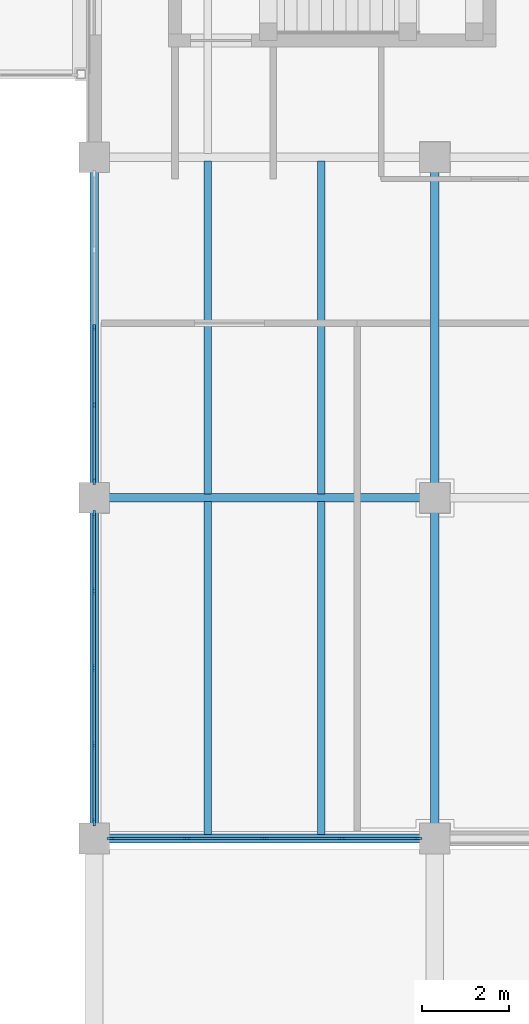
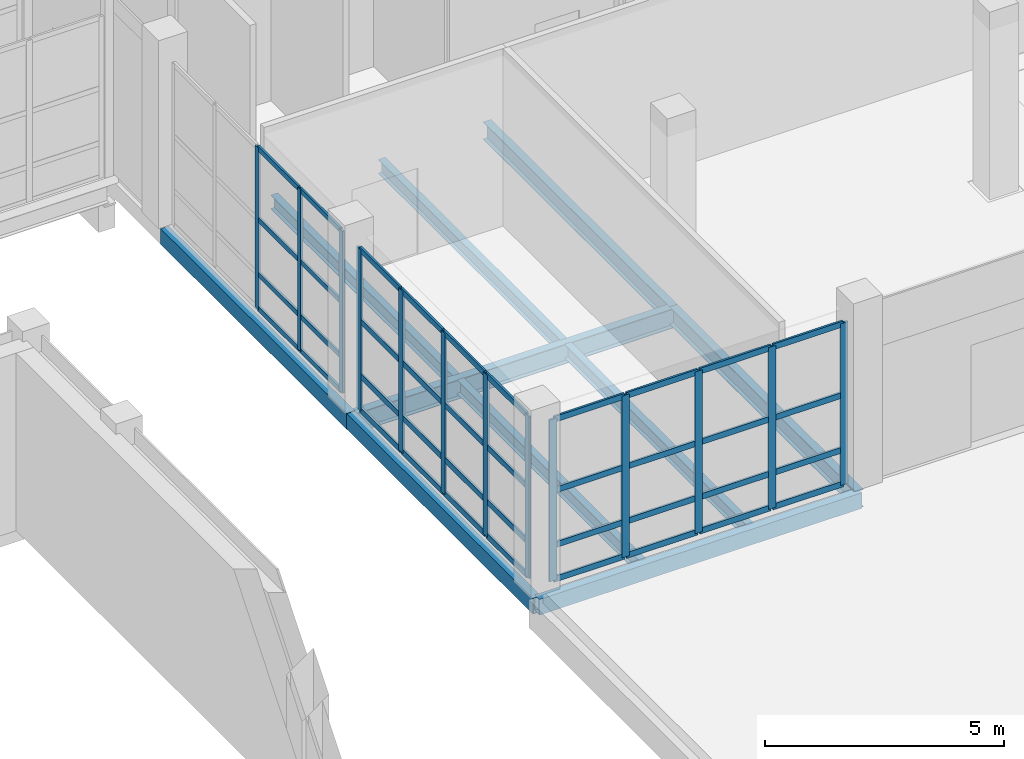
# One storey, part 27 of 131: 53 members, 10 beams, 3 elements without a shape of their own.
"""IFC4 building model written with IfcOpenShell, lengths in metres."""

from ifc_helpers import new_model, si_unit, direction, frame, origin, origin_2d, place, context, subcontext, project, spatial, rectangle, hollow_rectangle, i_section, extrude, material, layer, layer_set, material_profile, profile_set, type_object, element, aggregate, save


model = new_model("IFC4")

# Units and contexts
model_context = context("Model", 3, precision=1e-05, world=origin(), true_north=direction((0.0, 1.0)))
body_context = subcontext(model_context, "Body", "Model", "MODEL_VIEW")
ifc_project = project(units=[si_unit("LENGTHUNIT", "METRE"), si_unit("AREAUNIT", "SQUARE_METRE"), si_unit("VOLUMEUNIT", "CUBIC_METRE"), si_unit("PLANEANGLEUNIT", "RADIAN"), si_unit("MASSUNIT", "GRAM", prefix="KILO")], contexts=[model_context])

# Site, building, storey
site_placement = place(None, origin())
site = spatial("IfcSite", under=ifc_project, at=site_placement, CompositionType="ELEMENT")
building_placement = place(site_placement, origin())
building = spatial("IfcBuilding", under=site, at=building_placement, Name="Celorna Specialist Clinic", CompositionType="ELEMENT")
storey_placement = place(building_placement, origin())
storey = spatial("IfcBuildingStorey", under=building, at=storey_placement, Name="L00", CompositionType="ELEMENT", Elevation=0.0)

# Beams
ifc_material_1 = material(Name="Steel S355", Category="steel")
ifc_material_profile_1 = material_profile(ifc_material_1, i_section(OverallWidth=0.199951171875, OverallDepth=0.5, WebThickness=0.01025390625, FlangeThickness=0.01611328125, at=origin_2d()), Name="IPE 500")
ifc_profile_set_1 = profile_set([ifc_material_profile_1], Name="Steel S355")
beam_type_1 = type_object("IfcBeamType", Name="BM-08", PredefinedType="BEAM", material=ifc_profile_set_1)
beam_1_placement = place(storey_placement, frame((54.60009765625, 27.300048828125, -0.550048828125), z_axis=(1.0, 0.0, 0.0), x_axis=(0.0, 1.0, 0.0)))
element("IfcBeam", 1, at=beam_1_placement, inside=storey, type_object=beam_type_1, Name="Primary girder BM-08 #2018", PredefinedType="BEAM", context=body_context, shape_type="SweptSolid", body=[
    extrude(i_section(OverallWidth=0.199951171875, OverallDepth=0.5, WebThickness=0.01025390625, FlangeThickness=0.01611328125, at=origin_2d()), origin(), (0.0, 0.0, 1.0), 7.7998046875),
])
ifc_material_profile_2 = material_profile(ifc_material_1, i_section(OverallWidth=0.18994140625, OverallDepth=0.449951171875, WebThickness=0.009521484375, FlangeThickness=0.0146484375, at=origin_2d()), Name="IPE 450")
ifc_profile_set_2 = profile_set([ifc_material_profile_2], Name="Steel S355")
beam_type_2 = type_object("IfcBeamType", Name="BM-09", PredefinedType="BEAM", material=ifc_profile_set_2)
for number, where, z_axis, x_axis, name in (
    (2, (62.39990234375, 19.5, -0.52490234375), (0.0, 1.0, 0.0), (-1.0, 0.0, 0.0), "Transverse girder BM-09 #2033"),
    (3, (62.39990234375, 27.300048828125, -0.52490234375), (0.0, 1.0, 0.0), (-1.0, 0.0, 0.0), "Transverse girder BM-09 #2034"),
):
    element("IfcBeam", number, at=place(storey_placement, frame(where, z_axis=z_axis, x_axis=x_axis)), inside=storey, type_object=beam_type_2, Name=name, PredefinedType="BEAM", context=body_context, shape_type="SweptSolid", body=[
        extrude(i_section(OverallWidth=0.18994140625, OverallDepth=0.449951171875, WebThickness=0.009521484375, FlangeThickness=0.0146484375, at=origin_2d()), origin(), (0.0, 0.0, 1.0), 7.800048828125),
    ])
ifc_material_profile_3 = material_profile(ifc_material_1, i_section(OverallWidth=0.169921875, OverallDepth=0.360107421875, WebThickness=0.008056640625, FlangeThickness=0.0126953125, at=origin_2d()), Name="IPE 360")
ifc_profile_set_3 = profile_set([ifc_material_profile_3], Name="Steel S355")
beam_type_3 = type_object("IfcBeamType", Name="BM-11", PredefinedType="JOIST", material=ifc_profile_set_3)
for number, where, z_axis, x_axis, name in (
    (4, (57.199951171875, 19.587890625, -0.47998046875), (0.0, 1.0, 0.0), (-1.0, 0.0, 0.0), "Secondary floor joist BM-11 #2044"),
    (5, (59.800048828125, 19.587890625, -0.47998046875), (0.0, 1.0, 0.0), (-1.0, 0.0, 0.0), "Secondary floor joist BM-11 #2045"),
    (6, (57.199951171875, 27.387939453125, -0.47998046875), (0.0, 1.0, 0.0), (-1.0, 0.0, 0.0), "Secondary floor joist BM-11 #2046"),
    (7, (59.800048828125, 27.387939453125, -0.47998046875), (0.0, 1.0, 0.0), (-1.0, 0.0, 0.0), "Secondary floor joist BM-11 #2047"),
):
    element("IfcBeam", number, at=place(storey_placement, frame(where, z_axis=z_axis, x_axis=x_axis)), inside=storey, type_object=beam_type_3, Name=name, PredefinedType="JOIST", context=body_context, shape_type="SweptSolid", body=[
        extrude(i_section(OverallWidth=0.169921875, OverallDepth=0.360107421875, WebThickness=0.008056640625, FlangeThickness=0.0126953125, at=origin_2d()), origin(), (0.0, 0.0, 1.0), 7.6240234375),
    ])
ifc_material_profile_4 = material_profile(ifc_material_1, hollow_rectangle(XDim=0.199951171875, YDim=0.39990234375, WallThickness=0.011962890625, at=origin_2d()), Name="RHS 200x400x12")
ifc_profile_set_4 = profile_set([ifc_material_profile_4], Name="Steel S355")
beam_type_4 = type_object("IfcBeamType", Name="BM-15", PredefinedType="SPANDREL", material=ifc_profile_set_4)
beam_2_placement = place(storey_placement, frame((54.60009765625, 19.5, -0.5), z_axis=(1.0, 0.0, 0.0), x_axis=(0.0, 1.0, 0.0)))
element("IfcBeam", 8, at=beam_2_placement, inside=storey, type_object=beam_type_4, Name="Spandrel beam BM-15 #2014", PredefinedType="SPANDREL", context=body_context, shape_type="SweptSolid", body=[
    extrude(hollow_rectangle(XDim=0.199951171875, YDim=0.39990234375, WallThickness=0.011962890625, at=origin_2d()), origin(), (0.0, 0.0, 1.0), 7.7998046875),
])
for number, where, z_axis, x_axis, name in (
    (9, (54.60009765625, 19.5, -0.5), (0.0, 1.0, 0.0), (-1.0, 0.0, 0.0), "Spandrel beam BM-15 #2030"),
    (10, (54.60009765625, 27.300048828125, -0.5), (0.0, 1.0, 0.0), (-1.0, 0.0, 0.0), "Spandrel beam BM-15 #2031"),
):
    element("IfcBeam", number, at=place(storey_placement, frame(where, z_axis=z_axis, x_axis=x_axis)), inside=storey, type_object=beam_type_4, Name=name, PredefinedType="SPANDREL", context=body_context, shape_type="SweptSolid", body=[
        extrude(hollow_rectangle(XDim=0.199951171875, YDim=0.39990234375, WallThickness=0.011962890625, at=origin_2d()), origin(), (0.0, 0.0, 1.0), 7.800048828125),
    ])

# Curtain wall, members
ifc_material_2 = material(Name="Thermally broken aluminium and solar-control glass curtain wall", Category="aluminium")
ifc_layer_1 = layer(ifc_material_2, 0.159912109375, Name="Thermally broken aluminium and solar-control glass curtain wall")
ifc_layer_set_1 = layer_set([ifc_layer_1], Name="Thermally broken aluminium and solar-control glass curtain wall")
curtain_wall_type_1 = type_object("IfcCurtainWallType", Name="CW-102", PredefinedType="NOTDEFINED", material=ifc_layer_set_1)
curtain_wall_1_placement = place(storey_placement, origin())
curtain_wall_1 = element("IfcCurtainWall", 11, at=curtain_wall_1_placement, inside=storey, type_object=curtain_wall_type_1, Name="Curtain wall CW-102 #179", PredefinedType="NOTDEFINED")
ifc_material_3 = material(Name="Anodized aluminium mullion", Category="aluminium")
ifc_material_profile_5 = material_profile(ifc_material_3, rectangle(XDim=0.050048828125, YDim=0.179931640625, at=origin_2d()), Name="ALU MULLION 50x180")
ifc_profile_set_5 = profile_set([ifc_material_profile_5], Name="Anodized aluminium mullion")
member_type_1 = type_object("IfcMemberType", Name="ML-02", PredefinedType="MULLION", material=ifc_profile_set_5)
member_1_placement = place(storey_placement, frame((62.02099609375, 19.5, 0.0), z_axis=(0.0, 0.0, 1.0), x_axis=(0.0, -1.0, 0.0)))
member_1 = element("IfcMember", 12, at=member_1_placement, type_object=member_type_1, Name="CW-102 mullion 1", PredefinedType="MULLION", context=body_context, shape_type="SweptSolid", body=[
    extrude(rectangle(XDim=0.050048828125, YDim=0.179931640625, at=origin_2d()), origin(), (0.0, 0.0, 1.0), 4.139892578125),
])
member_2_placement = place(storey_placement, frame((60.27294921875, 19.5, 0.0), z_axis=(0.0, 0.0, 1.0), x_axis=(0.0, -1.0, 0.0)))
member_2 = element("IfcMember", 13, at=member_2_placement, type_object=member_type_1, Name="CW-102 mullion 2", PredefinedType="MULLION", context=body_context, shape_type="SweptSolid", body=[
    extrude(rectangle(XDim=0.050048828125, YDim=0.179931640625, at=origin_2d()), origin(), (0.0, 0.0, 1.0), 4.139892578125),
])
member_3_placement = place(storey_placement, frame((58.5, 19.5, 0.0), z_axis=(0.0, 0.0, 1.0), x_axis=(0.0, -1.0, 0.0)))
member_3 = element("IfcMember", 14, at=member_3_placement, type_object=member_type_1, Name="CW-102 mullion 3", PredefinedType="MULLION", context=body_context, shape_type="SweptSolid", body=[
    extrude(rectangle(XDim=0.050048828125, YDim=0.179931640625, at=origin_2d()), origin(), (0.0, 0.0, 1.0), 4.139892578125),
])
member_4_placement = place(storey_placement, frame((56.72705078125, 19.5, 0.0), z_axis=(0.0, 0.0, 1.0), x_axis=(0.0, -1.0, 0.0)))
member_4 = element("IfcMember", 15, at=member_4_placement, type_object=member_type_1, Name="CW-102 mullion 4", PredefinedType="MULLION", context=body_context, shape_type="SweptSolid", body=[
    extrude(rectangle(XDim=0.050048828125, YDim=0.179931640625, at=origin_2d()), origin(), (0.0, 0.0, 1.0), 4.139892578125),
])
member_5_placement = place(storey_placement, frame((54.97900390625, 19.5, 0.0), z_axis=(0.0, 0.0, 1.0), x_axis=(0.0, -1.0, 0.0)))
member_5 = element("IfcMember", 16, at=member_5_placement, type_object=member_type_1, Name="CW-102 mullion 5", PredefinedType="MULLION", context=body_context, shape_type="SweptSolid", body=[
    extrude(rectangle(XDim=0.050048828125, YDim=0.179931640625, at=origin_2d()), origin(), (0.0, 0.0, 1.0), 4.139892578125),
])

curtain_wall_2_placement = place(storey_placement, origin())
curtain_wall_2 = element("IfcCurtainWall", 17, at=curtain_wall_2_placement, inside=storey, type_object=curtain_wall_type_1, Name="Curtain wall CW-102 #181", PredefinedType="NOTDEFINED")
member_6_placement = place(storey_placement, frame((54.60009765625, 19.87890625, 0.0), z_axis=(0.0, 0.0, 1.0), x_axis=(-1.0, 0.0, 0.0)))
member_6 = element("IfcMember", 18, at=member_6_placement, type_object=member_type_1, Name="CW-102 mullion 1", PredefinedType="MULLION", context=body_context, shape_type="SweptSolid", body=[
    extrude(rectangle(XDim=0.050048828125, YDim=0.179931640625, at=origin_2d()), origin(), (0.0, 0.0, 1.0), 4.139892578125),
])
member_7_placement = place(storey_placement, frame((54.60009765625, 21.626953125, 0.0), z_axis=(0.0, 0.0, 1.0), x_axis=(-1.0, 0.0, 0.0)))
member_7 = element("IfcMember", 19, at=member_7_placement, type_object=member_type_1, Name="CW-102 mullion 2", PredefinedType="MULLION", context=body_context, shape_type="SweptSolid", body=[
    extrude(rectangle(XDim=0.050048828125, YDim=0.179931640625, at=origin_2d()), origin(), (0.0, 0.0, 1.0), 4.139892578125),
])
member_8_placement = place(storey_placement, frame((54.60009765625, 23.39990234375, 0.0), z_axis=(0.0, 0.0, 1.0), x_axis=(-1.0, 0.0, 0.0)))
member_8 = element("IfcMember", 20, at=member_8_placement, type_object=member_type_1, Name="CW-102 mullion 3", PredefinedType="MULLION", context=body_context, shape_type="SweptSolid", body=[
    extrude(rectangle(XDim=0.050048828125, YDim=0.179931640625, at=origin_2d()), origin(), (0.0, 0.0, 1.0), 4.139892578125),
])
member_9_placement = place(storey_placement, frame((54.60009765625, 25.173095703125, 0.0), z_axis=(0.0, 0.0, 1.0), x_axis=(-1.0, 0.0, 0.0)))
member_9 = element("IfcMember", 21, at=member_9_placement, type_object=member_type_1, Name="CW-102 mullion 4", PredefinedType="MULLION", context=body_context, shape_type="SweptSolid", body=[
    extrude(rectangle(XDim=0.050048828125, YDim=0.179931640625, at=origin_2d()), origin(), (0.0, 0.0, 1.0), 4.139892578125),
])
member_10_placement = place(storey_placement, frame((54.60009765625, 26.9208984375, 0.0), z_axis=(0.0, 0.0, 1.0), x_axis=(-1.0, 0.0, 0.0)))
member_10 = element("IfcMember", 22, at=member_10_placement, type_object=member_type_1, Name="CW-102 mullion 5", PredefinedType="MULLION", context=body_context, shape_type="SweptSolid", body=[
    extrude(rectangle(XDim=0.050048828125, YDim=0.179931640625, at=origin_2d()), origin(), (0.0, 0.0, 1.0), 4.139892578125),
])

ifc_layer_2 = layer(ifc_material_2, 0.159912109375, Name="Thermally broken aluminium and solar-control glass curtain wall")
ifc_layer_set_2 = layer_set([ifc_layer_2], Name="Thermally broken aluminium and solar-control glass curtain wall")
curtain_wall_type_2 = type_object("IfcCurtainWallType", Name="CW-103", PredefinedType="NOTDEFINED", material=ifc_layer_set_2)
curtain_wall_3_placement = place(storey_placement, origin())
curtain_wall_3 = element("IfcCurtainWall", 23, at=curtain_wall_3_placement, inside=storey, type_object=curtain_wall_type_2, Name="Curtain wall CW-103 #182", PredefinedType="NOTDEFINED")
ifc_material_profile_6 = material_profile(ifc_material_3, rectangle(XDim=0.050048828125, YDim=0.139892578125, at=origin_2d()), Name="ALU MULLION 50x140")
ifc_profile_set_6 = profile_set([ifc_material_profile_6], Name="Anodized aluminium mullion")
member_type_2 = type_object("IfcMemberType", Name="ML-03", PredefinedType="MULLION", material=ifc_profile_set_6)
member_11_placement = place(storey_placement, frame((54.60009765625, 27.678955078125, 0.0), z_axis=(0.0, 0.0, 1.0), x_axis=(-1.0, 0.0, 0.0)))
member_11 = element("IfcMember", 24, at=member_11_placement, type_object=member_type_2, Name="CW-103 mullion 1", PredefinedType="MULLION", context=body_context, shape_type="SweptSolid", body=[
    extrude(rectangle(XDim=0.050048828125, YDim=0.139892578125, at=origin_2d()), origin(), (0.0, 0.0, 1.0), 4.139892578125),
])
member_12_placement = place(storey_placement, frame((54.60009765625, 29.427001953125, 0.0), z_axis=(0.0, 0.0, 1.0), x_axis=(-1.0, 0.0, 0.0)))
member_12 = element("IfcMember", 25, at=member_12_placement, type_object=member_type_2, Name="CW-103 mullion 2", PredefinedType="MULLION", context=body_context, shape_type="SweptSolid", body=[
    extrude(rectangle(XDim=0.050048828125, YDim=0.139892578125, at=origin_2d()), origin(), (0.0, 0.0, 1.0), 4.139892578125),
])
member_13_placement = place(storey_placement, frame((54.60009765625, 31.199951171875, 0.0), z_axis=(0.0, 0.0, 1.0), x_axis=(-1.0, 0.0, 0.0)))
member_13 = element("IfcMember", 26, at=member_13_placement, type_object=member_type_2, Name="CW-103 mullion 3", PredefinedType="MULLION", context=body_context, shape_type="SweptSolid", body=[
    extrude(rectangle(XDim=0.050048828125, YDim=0.139892578125, at=origin_2d()), origin(), (0.0, 0.0, 1.0), 4.139892578125),
])
ifc_material_4 = material(Name="Anodized aluminium transom", Category="aluminium")
ifc_material_profile_7 = material_profile(ifc_material_4, rectangle(XDim=0.050048828125, YDim=0.1298828125, at=origin_2d()), Name="ALU TRANSOM 50x130")
ifc_profile_set_7 = profile_set([ifc_material_profile_7], Name="Anodized aluminium transom")
member_type_3 = type_object("IfcMemberType", Name="TR-01", PredefinedType="USERDEFINED", material=ifc_profile_set_7)
member_14_placement = place(storey_placement, frame((54.60009765625, 27.7041015625, 0.02490234375), z_axis=(0.0, 1.0, 0.0), x_axis=(-1.0, 0.0, 0.0)))
member_14 = element("IfcMember", 27, at=member_14_placement, type_object=member_type_3, Name="CW-103 transom 1.1", ObjectType="TRANSOM", PredefinedType="USERDEFINED", context=body_context, shape_type="SweptSolid", body=[
    extrude(rectangle(XDim=0.050048828125, YDim=0.1298828125, at=origin_2d()), origin(), (0.0, 0.0, 1.0), 1.697998046875),
])
member_15_placement = place(storey_placement, frame((54.60009765625, 27.7041015625, 0.89990234375), z_axis=(0.0, 1.0, 0.0), x_axis=(-1.0, 0.0, 0.0)))
member_15 = element("IfcMember", 28, at=member_15_placement, type_object=member_type_3, Name="CW-103 transom 1.2", ObjectType="TRANSOM", PredefinedType="USERDEFINED", context=body_context, shape_type="SweptSolid", body=[
    extrude(rectangle(XDim=0.050048828125, YDim=0.1298828125, at=origin_2d()), origin(), (0.0, 0.0, 1.0), 1.697998046875),
])
member_16_placement = place(storey_placement, frame((54.60009765625, 27.7041015625, 2.300048828125), z_axis=(0.0, 1.0, 0.0), x_axis=(-1.0, 0.0, 0.0)))
member_16 = element("IfcMember", 29, at=member_16_placement, type_object=member_type_3, Name="CW-103 transom 1.3", ObjectType="TRANSOM", PredefinedType="USERDEFINED", context=body_context, shape_type="SweptSolid", body=[
    extrude(rectangle(XDim=0.050048828125, YDim=0.1298828125, at=origin_2d()), origin(), (0.0, 0.0, 1.0), 1.697998046875),
])
member_17_placement = place(storey_placement, frame((54.60009765625, 27.7041015625, 4.114990234375), z_axis=(0.0, 1.0, 0.0), x_axis=(-1.0, 0.0, 0.0)))
member_17 = element("IfcMember", 30, at=member_17_placement, type_object=member_type_3, Name="CW-103 transom 1.4", ObjectType="TRANSOM", PredefinedType="USERDEFINED", context=body_context, shape_type="SweptSolid", body=[
    extrude(rectangle(XDim=0.050048828125, YDim=0.1298828125, at=origin_2d()), origin(), (0.0, 0.0, 1.0), 1.697998046875),
])
member_18_placement = place(storey_placement, frame((54.60009765625, 29.451904296875, 0.02490234375), z_axis=(0.0, 1.0, 0.0), x_axis=(-1.0, 0.0, 0.0)))
member_18 = element("IfcMember", 31, at=member_18_placement, type_object=member_type_3, Name="CW-103 transom 2.1", ObjectType="TRANSOM", PredefinedType="USERDEFINED", context=body_context, shape_type="SweptSolid", body=[
    extrude(rectangle(XDim=0.050048828125, YDim=0.1298828125, at=origin_2d()), origin(), (0.0, 0.0, 1.0), 1.72314453125),
])
member_19_placement = place(storey_placement, frame((54.60009765625, 29.451904296875, 0.89990234375), z_axis=(0.0, 1.0, 0.0), x_axis=(-1.0, 0.0, 0.0)))
member_19 = element("IfcMember", 32, at=member_19_placement, type_object=member_type_3, Name="CW-103 transom 2.2", ObjectType="TRANSOM", PredefinedType="USERDEFINED", context=body_context, shape_type="SweptSolid", body=[
    extrude(rectangle(XDim=0.050048828125, YDim=0.1298828125, at=origin_2d()), origin(), (0.0, 0.0, 1.0), 1.72314453125),
])
member_20_placement = place(storey_placement, frame((54.60009765625, 29.451904296875, 2.300048828125), z_axis=(0.0, 1.0, 0.0), x_axis=(-1.0, 0.0, 0.0)))
member_20 = element("IfcMember", 33, at=member_20_placement, type_object=member_type_3, Name="CW-103 transom 2.3", ObjectType="TRANSOM", PredefinedType="USERDEFINED", context=body_context, shape_type="SweptSolid", body=[
    extrude(rectangle(XDim=0.050048828125, YDim=0.1298828125, at=origin_2d()), origin(), (0.0, 0.0, 1.0), 1.72314453125),
])
member_21_placement = place(storey_placement, frame((54.60009765625, 29.451904296875, 4.114990234375), z_axis=(0.0, 1.0, 0.0), x_axis=(-1.0, 0.0, 0.0)))
member_21 = element("IfcMember", 34, at=member_21_placement, type_object=member_type_3, Name="CW-103 transom 2.4", ObjectType="TRANSOM", PredefinedType="USERDEFINED", context=body_context, shape_type="SweptSolid", body=[
    extrude(rectangle(XDim=0.050048828125, YDim=0.1298828125, at=origin_2d()), origin(), (0.0, 0.0, 1.0), 1.72314453125),
])
aggregate(curtain_wall_3, [member_11, member_12, member_13, member_14, member_15, member_16, member_17, member_18, member_19, member_20, member_21])

# Member
ifc_material_profile_8 = material_profile(ifc_material_4, rectangle(XDim=0.050048828125, YDim=0.14990234375, at=origin_2d()), Name="ALU TRANSOM 50x150")
ifc_profile_set_8 = profile_set([ifc_material_profile_8], Name="Anodized aluminium transom")
member_type_4 = type_object("IfcMemberType", Name="TR-02", PredefinedType="USERDEFINED", material=ifc_profile_set_8)
member_22_placement = place(storey_placement, frame((61.99609375, 19.5, 0.02490234375), z_axis=(-1.0, 0.0, 0.0), x_axis=(0.0, -1.0, 0.0)))
member_22 = element("IfcMember", 35, at=member_22_placement, type_object=member_type_4, Name="CW-102 transom 1.1", ObjectType="TRANSOM", PredefinedType="USERDEFINED", context=body_context, shape_type="SweptSolid", body=[
    extrude(rectangle(XDim=0.050048828125, YDim=0.14990234375, at=origin_2d()), origin(), (0.0, 0.0, 1.0), 1.697998046875),
])

member_23_placement = place(storey_placement, frame((61.99609375, 19.5, 0.89990234375), z_axis=(-1.0, 0.0, 0.0), x_axis=(0.0, -1.0, 0.0)))
member_23 = element("IfcMember", 36, at=member_23_placement, type_object=member_type_4, Name="CW-102 transom 1.2", ObjectType="TRANSOM", PredefinedType="USERDEFINED", context=body_context, shape_type="SweptSolid", body=[
    extrude(rectangle(XDim=0.050048828125, YDim=0.14990234375, at=origin_2d()), origin(), (0.0, 0.0, 1.0), 1.697998046875),
])

member_24_placement = place(storey_placement, frame((61.99609375, 19.5, 2.300048828125), z_axis=(-1.0, 0.0, 0.0), x_axis=(0.0, -1.0, 0.0)))
member_24 = element("IfcMember", 37, at=member_24_placement, type_object=member_type_4, Name="CW-102 transom 1.3", ObjectType="TRANSOM", PredefinedType="USERDEFINED", context=body_context, shape_type="SweptSolid", body=[
    extrude(rectangle(XDim=0.050048828125, YDim=0.14990234375, at=origin_2d()), origin(), (0.0, 0.0, 1.0), 1.697998046875),
])

member_25_placement = place(storey_placement, frame((61.99609375, 19.5, 4.114990234375), z_axis=(-1.0, 0.0, 0.0), x_axis=(0.0, -1.0, 0.0)))
member_25 = element("IfcMember", 38, at=member_25_placement, type_object=member_type_4, Name="CW-102 transom 1.4", ObjectType="TRANSOM", PredefinedType="USERDEFINED", context=body_context, shape_type="SweptSolid", body=[
    extrude(rectangle(XDim=0.050048828125, YDim=0.14990234375, at=origin_2d()), origin(), (0.0, 0.0, 1.0), 1.697998046875),
])

member_26_placement = place(storey_placement, frame((60.248046875, 19.5, 0.02490234375), z_axis=(-1.0, 0.0, 0.0), x_axis=(0.0, -1.0, 0.0)))
member_26 = element("IfcMember", 39, at=member_26_placement, type_object=member_type_4, Name="CW-102 transom 2.1", ObjectType="TRANSOM", PredefinedType="USERDEFINED", context=body_context, shape_type="SweptSolid", body=[
    extrude(rectangle(XDim=0.050048828125, YDim=0.14990234375, at=origin_2d()), origin(), (0.0, 0.0, 1.0), 1.72314453125),
])

member_27_placement = place(storey_placement, frame((60.248046875, 19.5, 0.89990234375), z_axis=(-1.0, 0.0, 0.0), x_axis=(0.0, -1.0, 0.0)))
member_27 = element("IfcMember", 40, at=member_27_placement, type_object=member_type_4, Name="CW-102 transom 2.2", ObjectType="TRANSOM", PredefinedType="USERDEFINED", context=body_context, shape_type="SweptSolid", body=[
    extrude(rectangle(XDim=0.050048828125, YDim=0.14990234375, at=origin_2d()), origin(), (0.0, 0.0, 1.0), 1.72314453125),
])

member_28_placement = place(storey_placement, frame((60.248046875, 19.5, 2.300048828125), z_axis=(-1.0, 0.0, 0.0), x_axis=(0.0, -1.0, 0.0)))
member_28 = element("IfcMember", 41, at=member_28_placement, type_object=member_type_4, Name="CW-102 transom 2.3", ObjectType="TRANSOM", PredefinedType="USERDEFINED", context=body_context, shape_type="SweptSolid", body=[
    extrude(rectangle(XDim=0.050048828125, YDim=0.14990234375, at=origin_2d()), origin(), (0.0, 0.0, 1.0), 1.72314453125),
])

member_29_placement = place(storey_placement, frame((60.248046875, 19.5, 4.114990234375), z_axis=(-1.0, 0.0, 0.0), x_axis=(0.0, -1.0, 0.0)))
member_29 = element("IfcMember", 42, at=member_29_placement, type_object=member_type_4, Name="CW-102 transom 2.4", ObjectType="TRANSOM", PredefinedType="USERDEFINED", context=body_context, shape_type="SweptSolid", body=[
    extrude(rectangle(XDim=0.050048828125, YDim=0.14990234375, at=origin_2d()), origin(), (0.0, 0.0, 1.0), 1.72314453125),
])

member_30_placement = place(storey_placement, frame((58.47509765625, 19.5, 0.02490234375), z_axis=(-1.0, 0.0, 0.0), x_axis=(0.0, -1.0, 0.0)))
member_30 = element("IfcMember", 43, at=member_30_placement, type_object=member_type_4, Name="CW-102 transom 3.1", ObjectType="TRANSOM", PredefinedType="USERDEFINED", context=body_context, shape_type="SweptSolid", body=[
    extrude(rectangle(XDim=0.050048828125, YDim=0.14990234375, at=origin_2d()), origin(), (0.0, 0.0, 1.0), 1.72314453125),
])

member_31_placement = place(storey_placement, frame((58.47509765625, 19.5, 0.89990234375), z_axis=(-1.0, 0.0, 0.0), x_axis=(0.0, -1.0, 0.0)))
member_31 = element("IfcMember", 44, at=member_31_placement, type_object=member_type_4, Name="CW-102 transom 3.2", ObjectType="TRANSOM", PredefinedType="USERDEFINED", context=body_context, shape_type="SweptSolid", body=[
    extrude(rectangle(XDim=0.050048828125, YDim=0.14990234375, at=origin_2d()), origin(), (0.0, 0.0, 1.0), 1.72314453125),
])

member_32_placement = place(storey_placement, frame((58.47509765625, 19.5, 2.300048828125), z_axis=(-1.0, 0.0, 0.0), x_axis=(0.0, -1.0, 0.0)))
member_32 = element("IfcMember", 45, at=member_32_placement, type_object=member_type_4, Name="CW-102 transom 3.3", ObjectType="TRANSOM", PredefinedType="USERDEFINED", context=body_context, shape_type="SweptSolid", body=[
    extrude(rectangle(XDim=0.050048828125, YDim=0.14990234375, at=origin_2d()), origin(), (0.0, 0.0, 1.0), 1.72314453125),
])

member_33_placement = place(storey_placement, frame((58.47509765625, 19.5, 4.114990234375), z_axis=(-1.0, 0.0, 0.0), x_axis=(0.0, -1.0, 0.0)))
member_33 = element("IfcMember", 46, at=member_33_placement, type_object=member_type_4, Name="CW-102 transom 3.4", ObjectType="TRANSOM", PredefinedType="USERDEFINED", context=body_context, shape_type="SweptSolid", body=[
    extrude(rectangle(XDim=0.050048828125, YDim=0.14990234375, at=origin_2d()), origin(), (0.0, 0.0, 1.0), 1.72314453125),
])

member_34_placement = place(storey_placement, frame((56.701904296875, 19.5, 0.02490234375), z_axis=(-1.0, 0.0, 0.0), x_axis=(0.0, -1.0, 0.0)))
member_34 = element("IfcMember", 47, at=member_34_placement, type_object=member_type_4, Name="CW-102 transom 4.1", ObjectType="TRANSOM", PredefinedType="USERDEFINED", context=body_context, shape_type="SweptSolid", body=[
    extrude(rectangle(XDim=0.050048828125, YDim=0.14990234375, at=origin_2d()), origin(), (0.0, 0.0, 1.0), 1.697998046875),
])

member_35_placement = place(storey_placement, frame((56.701904296875, 19.5, 0.89990234375), z_axis=(-1.0, 0.0, 0.0), x_axis=(0.0, -1.0, 0.0)))
member_35 = element("IfcMember", 48, at=member_35_placement, type_object=member_type_4, Name="CW-102 transom 4.2", ObjectType="TRANSOM", PredefinedType="USERDEFINED", context=body_context, shape_type="SweptSolid", body=[
    extrude(rectangle(XDim=0.050048828125, YDim=0.14990234375, at=origin_2d()), origin(), (0.0, 0.0, 1.0), 1.697998046875),
])

member_36_placement = place(storey_placement, frame((56.701904296875, 19.5, 2.300048828125), z_axis=(-1.0, 0.0, 0.0), x_axis=(0.0, -1.0, 0.0)))
member_36 = element("IfcMember", 49, at=member_36_placement, type_object=member_type_4, Name="CW-102 transom 4.3", ObjectType="TRANSOM", PredefinedType="USERDEFINED", context=body_context, shape_type="SweptSolid", body=[
    extrude(rectangle(XDim=0.050048828125, YDim=0.14990234375, at=origin_2d()), origin(), (0.0, 0.0, 1.0), 1.697998046875),
])

member_37_placement = place(storey_placement, frame((56.701904296875, 19.5, 4.114990234375), z_axis=(-1.0, 0.0, 0.0), x_axis=(0.0, -1.0, 0.0)))
member_37 = element("IfcMember", 50, at=member_37_placement, type_object=member_type_4, Name="CW-102 transom 4.4", ObjectType="TRANSOM", PredefinedType="USERDEFINED", context=body_context, shape_type="SweptSolid", body=[
    extrude(rectangle(XDim=0.050048828125, YDim=0.14990234375, at=origin_2d()), origin(), (0.0, 0.0, 1.0), 1.697998046875),
])

aggregate(curtain_wall_1, [member_1, member_2, member_3, member_4, member_5, member_22, member_23, member_24, member_25, member_26, member_27, member_28, member_29, member_30, member_31, member_32, member_33, member_34, member_35, member_36, member_37])

member_38_placement = place(storey_placement, frame((54.60009765625, 19.904052734375, 0.02490234375), z_axis=(0.0, 1.0, 0.0), x_axis=(-1.0, 0.0, 0.0)))
member_38 = element("IfcMember", 51, at=member_38_placement, type_object=member_type_4, Name="CW-102 transom 1.1", ObjectType="TRANSOM", PredefinedType="USERDEFINED", context=body_context, shape_type="SweptSolid", body=[
    extrude(rectangle(XDim=0.050048828125, YDim=0.14990234375, at=origin_2d()), origin(), (0.0, 0.0, 1.0), 1.697998046875),
])

member_39_placement = place(storey_placement, frame((54.60009765625, 19.904052734375, 0.89990234375), z_axis=(0.0, 1.0, 0.0), x_axis=(-1.0, 0.0, 0.0)))
member_39 = element("IfcMember", 52, at=member_39_placement, type_object=member_type_4, Name="CW-102 transom 1.2", ObjectType="TRANSOM", PredefinedType="USERDEFINED", context=body_context, shape_type="SweptSolid", body=[
    extrude(rectangle(XDim=0.050048828125, YDim=0.14990234375, at=origin_2d()), origin(), (0.0, 0.0, 1.0), 1.697998046875),
])

member_40_placement = place(storey_placement, frame((54.60009765625, 19.904052734375, 2.300048828125), z_axis=(0.0, 1.0, 0.0), x_axis=(-1.0, 0.0, 0.0)))
member_40 = element("IfcMember", 53, at=member_40_placement, type_object=member_type_4, Name="CW-102 transom 1.3", ObjectType="TRANSOM", PredefinedType="USERDEFINED", context=body_context, shape_type="SweptSolid", body=[
    extrude(rectangle(XDim=0.050048828125, YDim=0.14990234375, at=origin_2d()), origin(), (0.0, 0.0, 1.0), 1.697998046875),
])

member_41_placement = place(storey_placement, frame((54.60009765625, 19.904052734375, 4.114990234375), z_axis=(0.0, 1.0, 0.0), x_axis=(-1.0, 0.0, 0.0)))
member_41 = element("IfcMember", 54, at=member_41_placement, type_object=member_type_4, Name="CW-102 transom 1.4", ObjectType="TRANSOM", PredefinedType="USERDEFINED", context=body_context, shape_type="SweptSolid", body=[
    extrude(rectangle(XDim=0.050048828125, YDim=0.14990234375, at=origin_2d()), origin(), (0.0, 0.0, 1.0), 1.697998046875),
])

member_42_placement = place(storey_placement, frame((54.60009765625, 21.652099609375, 0.02490234375), z_axis=(0.0, 1.0, 0.0), x_axis=(-1.0, 0.0, 0.0)))
member_42 = element("IfcMember", 55, at=member_42_placement, type_object=member_type_4, Name="CW-102 transom 2.1", ObjectType="TRANSOM", PredefinedType="USERDEFINED", context=body_context, shape_type="SweptSolid", body=[
    extrude(rectangle(XDim=0.050048828125, YDim=0.14990234375, at=origin_2d()), origin(), (0.0, 0.0, 1.0), 1.722900390625),
])

member_43_placement = place(storey_placement, frame((54.60009765625, 21.652099609375, 0.89990234375), z_axis=(0.0, 1.0, 0.0), x_axis=(-1.0, 0.0, 0.0)))
member_43 = element("IfcMember", 56, at=member_43_placement, type_object=member_type_4, Name="CW-102 transom 2.2", ObjectType="TRANSOM", PredefinedType="USERDEFINED", context=body_context, shape_type="SweptSolid", body=[
    extrude(rectangle(XDim=0.050048828125, YDim=0.14990234375, at=origin_2d()), origin(), (0.0, 0.0, 1.0), 1.722900390625),
])

member_44_placement = place(storey_placement, frame((54.60009765625, 21.652099609375, 2.300048828125), z_axis=(0.0, 1.0, 0.0), x_axis=(-1.0, 0.0, 0.0)))
member_44 = element("IfcMember", 57, at=member_44_placement, type_object=member_type_4, Name="CW-102 transom 2.3", ObjectType="TRANSOM", PredefinedType="USERDEFINED", context=body_context, shape_type="SweptSolid", body=[
    extrude(rectangle(XDim=0.050048828125, YDim=0.14990234375, at=origin_2d()), origin(), (0.0, 0.0, 1.0), 1.722900390625),
])

member_45_placement = place(storey_placement, frame((54.60009765625, 21.652099609375, 4.114990234375), z_axis=(0.0, 1.0, 0.0), x_axis=(-1.0, 0.0, 0.0)))
member_45 = element("IfcMember", 58, at=member_45_placement, type_object=member_type_4, Name="CW-102 transom 2.4", ObjectType="TRANSOM", PredefinedType="USERDEFINED", context=body_context, shape_type="SweptSolid", body=[
    extrude(rectangle(XDim=0.050048828125, YDim=0.14990234375, at=origin_2d()), origin(), (0.0, 0.0, 1.0), 1.722900390625),
])

member_46_placement = place(storey_placement, frame((54.60009765625, 23.425048828125, 0.02490234375), z_axis=(0.0, 1.0, 0.0), x_axis=(-1.0, 0.0, 0.0)))
member_46 = element("IfcMember", 59, at=member_46_placement, type_object=member_type_4, Name="CW-102 transom 3.1", ObjectType="TRANSOM", PredefinedType="USERDEFINED", context=body_context, shape_type="SweptSolid", body=[
    extrude(rectangle(XDim=0.050048828125, YDim=0.14990234375, at=origin_2d()), origin(), (0.0, 0.0, 1.0), 1.722900390625),
])

member_47_placement = place(storey_placement, frame((54.60009765625, 23.425048828125, 0.89990234375), z_axis=(0.0, 1.0, 0.0), x_axis=(-1.0, 0.0, 0.0)))
member_47 = element("IfcMember", 60, at=member_47_placement, type_object=member_type_4, Name="CW-102 transom 3.2", ObjectType="TRANSOM", PredefinedType="USERDEFINED", context=body_context, shape_type="SweptSolid", body=[
    extrude(rectangle(XDim=0.050048828125, YDim=0.14990234375, at=origin_2d()), origin(), (0.0, 0.0, 1.0), 1.722900390625),
])

member_48_placement = place(storey_placement, frame((54.60009765625, 23.425048828125, 2.300048828125), z_axis=(0.0, 1.0, 0.0), x_axis=(-1.0, 0.0, 0.0)))
member_48 = element("IfcMember", 61, at=member_48_placement, type_object=member_type_4, Name="CW-102 transom 3.3", ObjectType="TRANSOM", PredefinedType="USERDEFINED", context=body_context, shape_type="SweptSolid", body=[
    extrude(rectangle(XDim=0.050048828125, YDim=0.14990234375, at=origin_2d()), origin(), (0.0, 0.0, 1.0), 1.722900390625),
])

member_49_placement = place(storey_placement, frame((54.60009765625, 23.425048828125, 4.114990234375), z_axis=(0.0, 1.0, 0.0), x_axis=(-1.0, 0.0, 0.0)))
member_49 = element("IfcMember", 62, at=member_49_placement, type_object=member_type_4, Name="CW-102 transom 3.4", ObjectType="TRANSOM", PredefinedType="USERDEFINED", context=body_context, shape_type="SweptSolid", body=[
    extrude(rectangle(XDim=0.050048828125, YDim=0.14990234375, at=origin_2d()), origin(), (0.0, 0.0, 1.0), 1.722900390625),
])

member_50_placement = place(storey_placement, frame((54.60009765625, 25.197998046875, 0.02490234375), z_axis=(0.0, 1.0, 0.0), x_axis=(-1.0, 0.0, 0.0)))
member_50 = element("IfcMember", 63, at=member_50_placement, type_object=member_type_4, Name="CW-102 transom 4.1", ObjectType="TRANSOM", PredefinedType="USERDEFINED", context=body_context, shape_type="SweptSolid", body=[
    extrude(rectangle(XDim=0.050048828125, YDim=0.14990234375, at=origin_2d()), origin(), (0.0, 0.0, 1.0), 1.697998046875),
])

member_51_placement = place(storey_placement, frame((54.60009765625, 25.197998046875, 0.89990234375), z_axis=(0.0, 1.0, 0.0), x_axis=(-1.0, 0.0, 0.0)))
member_51 = element("IfcMember", 64, at=member_51_placement, type_object=member_type_4, Name="CW-102 transom 4.2", ObjectType="TRANSOM", PredefinedType="USERDEFINED", context=body_context, shape_type="SweptSolid", body=[
    extrude(rectangle(XDim=0.050048828125, YDim=0.14990234375, at=origin_2d()), origin(), (0.0, 0.0, 1.0), 1.697998046875),
])

member_52_placement = place(storey_placement, frame((54.60009765625, 25.197998046875, 2.300048828125), z_axis=(0.0, 1.0, 0.0), x_axis=(-1.0, 0.0, 0.0)))
member_52 = element("IfcMember", 65, at=member_52_placement, type_object=member_type_4, Name="CW-102 transom 4.3", ObjectType="TRANSOM", PredefinedType="USERDEFINED", context=body_context, shape_type="SweptSolid", body=[
    extrude(rectangle(XDim=0.050048828125, YDim=0.14990234375, at=origin_2d()), origin(), (0.0, 0.0, 1.0), 1.697998046875),
])

member_53_placement = place(storey_placement, frame((54.60009765625, 25.197998046875, 4.114990234375), z_axis=(0.0, 1.0, 0.0), x_axis=(-1.0, 0.0, 0.0)))
member_53 = element("IfcMember", 66, at=member_53_placement, type_object=member_type_4, Name="CW-102 transom 4.4", ObjectType="TRANSOM", PredefinedType="USERDEFINED", context=body_context, shape_type="SweptSolid", body=[
    extrude(rectangle(XDim=0.050048828125, YDim=0.14990234375, at=origin_2d()), origin(), (0.0, 0.0, 1.0), 1.697998046875),
])

aggregate(curtain_wall_2, [member_6, member_7, member_8, member_9, member_10, member_38, member_39, member_40, member_41, member_42, member_43, member_44, member_45, member_46, member_47, member_48, member_49, member_50, member_51, member_52, member_53])

save(model, "model.ifc")
